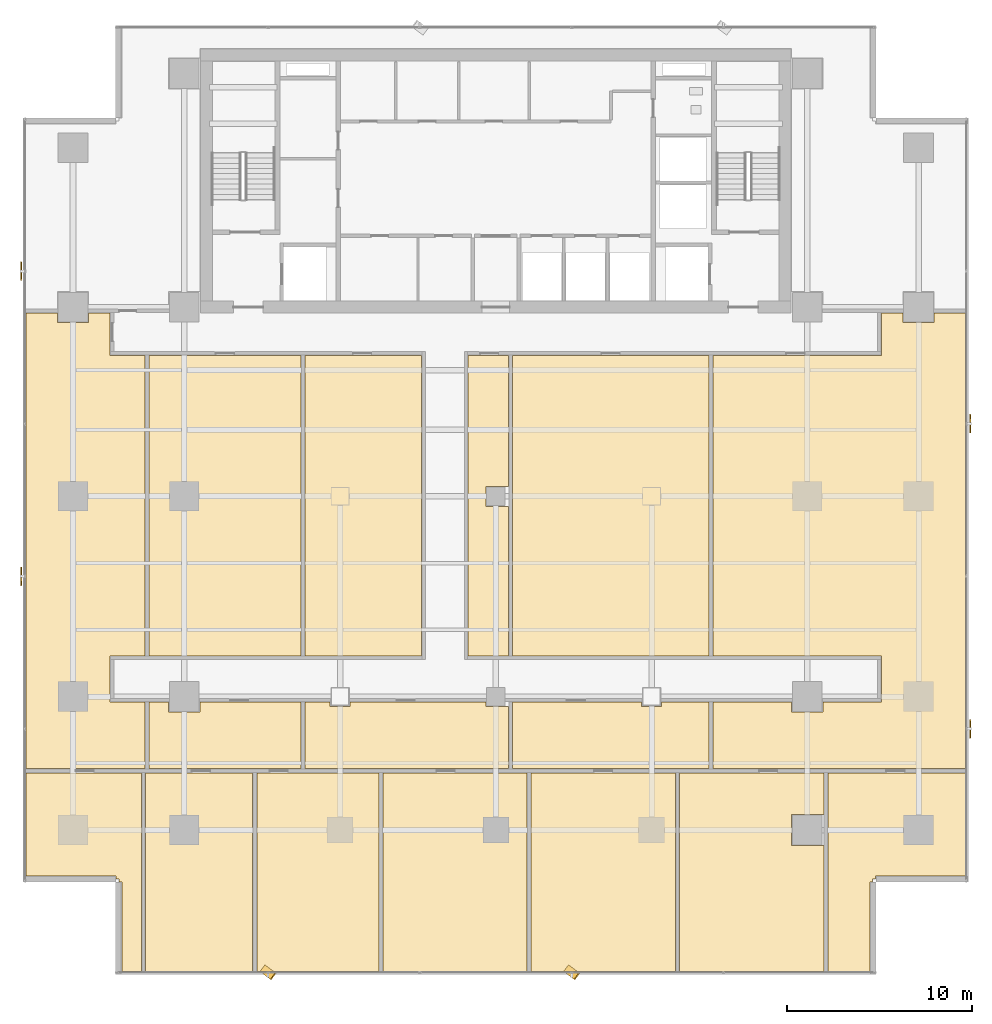
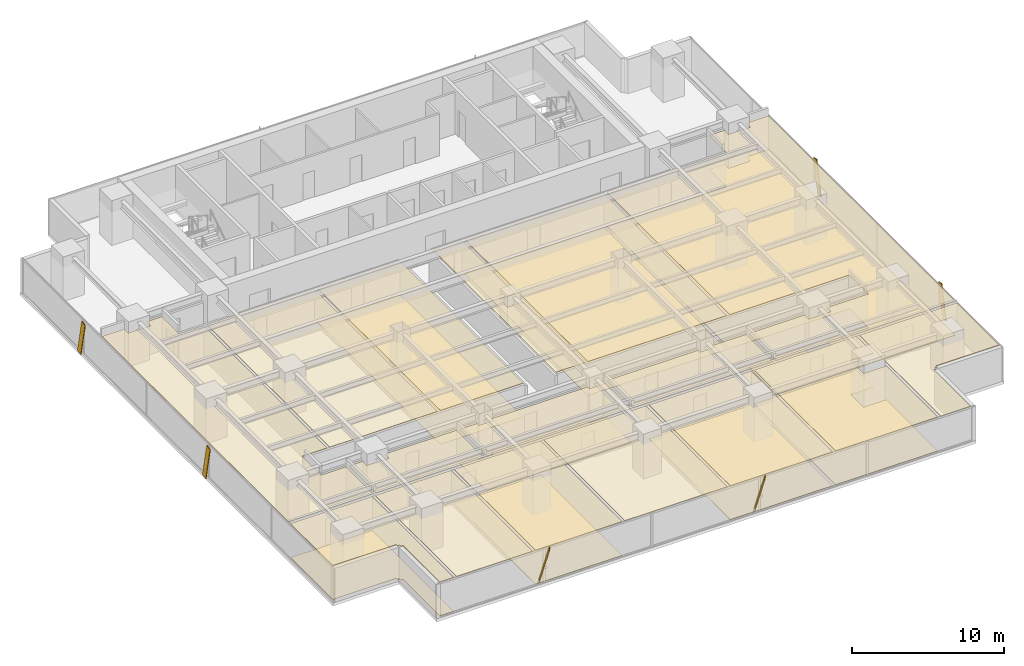
# One storey, part 32 of 36: 24 coverings, 6 shading devices.
"""IFC4 building model written with IfcOpenShell, lengths in metres."""

from ifc_helpers import new_model, si_unit, direction, frame, origin, origin_2d, place, context, subcontext, project, spatial, polyline, rectangle, outline, extrude, source, transform, mapped, material, layer, layer_set, material_profile, profile_set, type_object, element, save


model = new_model("IFC4")

# Units and contexts
model_context = context("Model", 3, precision=1e-05, world=origin(), true_north=direction((0.0, 1.0)))
body_context = subcontext(model_context, "Body", "Model", "MODEL_VIEW")
ifc_project = project(units=[si_unit("LENGTHUNIT", "METRE"), si_unit("AREAUNIT", "SQUARE_METRE"), si_unit("VOLUMEUNIT", "CUBIC_METRE"), si_unit("PLANEANGLEUNIT", "RADIAN"), si_unit("MASSUNIT", "GRAM", prefix="KILO")], contexts=[model_context])

# Site, building, storey
site_placement = place(None, origin())
site = spatial("IfcSite", under=ifc_project, at=site_placement, CompositionType="ELEMENT")
building_placement = place(site_placement, origin())
building = spatial("IfcBuilding", under=site, at=building_placement, Name="Sumidabori Civic Tower", CompositionType="ELEMENT")
storey_placement = place(building_placement, frame((0.0, 0.0, 113.60009765625)))
storey = spatial("IfcBuildingStorey", under=building, at=storey_placement, Name="L29", CompositionType="ELEMENT", Elevation=113.60009765625)

# Coverings
ifc_material_1 = material(Name="Perforated Timber Acoustic Ceiling", Category="wood")
ifc_layer_1 = layer(ifc_material_1, 0.044921875, Name="Perforated Timber Acoustic Ceiling")
ifc_layer_set_1 = layer_set([ifc_layer_1], Name="Perforated Timber Acoustic Ceiling")
covering_type_1 = type_object("IfcCoveringType", Name="CV-CEIL-AC2", PredefinedType="CEILING", material=ifc_layer_set_1)
covering_1_placement = place(storey_placement, frame((0.0, 0.0, 2.7099609375)))
element("IfcCovering", 1, at=covering_1_placement, inside=storey, type_object=covering_type_1, Name="Room Acoustic Ceiling L29-02", PredefinedType="CEILING", context=body_context, shape_type="SweptSolid", body=[
    extrude(outline(polyline([(-18.68994140625, 7.60009765625), (-10.510009765625, 7.60009765625), (-10.510009765625, -8.60009765625), (-18.68994140625, -8.60009765625), (-18.68994140625, 7.60009765625)])), origin(), (0.0, 0.0, 1.0), 0.044921875),
])
covering_2_placement = place(storey_placement, frame((0.0, 0.0, 2.7099609375)))
element("IfcCovering", 2, at=covering_2_placement, inside=storey, type_object=covering_type_1, Name="Room Acoustic Ceiling L29-03", PredefinedType="CEILING", context=body_context, shape_type="SweptSolid", body=[
    extrude(outline(polyline([(-10.2900390625, 7.60009765625), (-4.0, 7.60009765625), (-4.0, -8.60009765625), (-10.2900390625, -8.60009765625), (-10.2900390625, 7.60009765625)])), origin(), (0.0, 0.0, 1.0), 0.044921875),
])
covering_3_placement = place(storey_placement, frame((0.0, 0.0, 2.7099609375)))
element("IfcCovering", 3, at=covering_3_placement, inside=storey, type_object=covering_type_1, Name="Room Acoustic Ceiling L29-04", PredefinedType="CEILING", context=body_context, shape_type="SweptSolid", body=[
    extrude(outline(polyline([(-1.5, -8.60009765625), (-1.5, 7.60009765625), (0.68994140625, 7.60009765625), (0.68994140625, 0.5400390625), (-0.5400390625, 0.5400390625), (-0.5400390625, -0.5400390625), (0.68994140625, -0.5400390625), (0.68994140625, -8.60009765625), (-1.5, -8.60009765625)])), origin(), (0.0, 0.0, 1.0), 0.044921875),
])
covering_4_placement = place(storey_placement, frame((0.0, 0.0, 2.7099609375)))
element("IfcCovering", 4, at=covering_4_placement, inside=storey, type_object=covering_type_1, Name="Room Acoustic Ceiling L29-05", PredefinedType="CEILING", context=body_context, shape_type="SweptSolid", body=[
    extrude(outline(polyline([(0.909912109375, -8.60009765625), (0.909912109375, 7.60009765625), (11.489990234375, 7.60009765625), (11.489990234375, -8.60009765625), (0.909912109375, -8.60009765625)])), origin(), (0.0, 0.0, 1.0), 0.044921875),
])
covering_5_placement = place(storey_placement, frame((0.0, 0.0, 2.7099609375)))
element("IfcCovering", 5, at=covering_5_placement, inside=storey, type_object=covering_type_1, Name="Room Acoustic Ceiling L29-06", PredefinedType="CEILING", context=body_context, shape_type="SweptSolid", body=[
    extrude(outline(polyline([(-25.330078125, -14.68994140625), (-25.330078125, 9.889892578125), (-23.639892578125, 9.889892578125), (-23.639892578125, 9.360107421875), (-21.9599609375, 9.360107421875), (-21.9599609375, 9.889892578125), (-20.800048828125, 9.889892578125), (-20.800048828125, 7.60009765625), (-18.909912109375, 7.60009765625), (-18.909912109375, -8.60009765625), (-20.800048828125, -8.60009765625), (-20.800048828125, -11.10009765625), (-18.909912109375, -11.10009765625), (-18.909912109375, -14.68994140625), (-25.330078125, -14.68994140625)])), origin(), (0.0, 0.0, 1.0), 0.044921875),
])
covering_6_placement = place(storey_placement, frame((0.0, 0.0, 2.7099609375)))
element("IfcCovering", 6, at=covering_6_placement, inside=storey, type_object=covering_type_1, Name="Room Acoustic Ceiling L29-07", PredefinedType="CEILING", context=body_context, shape_type="SweptSolid", body=[
    extrude(outline(polyline([(11.7099609375, -11.10009765625), (15.9599609375, -11.10009765625), (15.9599609375, -11.639892578125), (17.639892578125, -11.639892578125), (17.639892578125, -11.10009765625), (20.800048828125, -11.10009765625), (20.800048828125, -8.60009765625), (11.7099609375, -8.60009765625), (11.7099609375, 7.60009765625), (20.800048828125, 7.60009765625), (20.800048828125, 9.889892578125), (21.9599609375, 9.889892578125), (21.9599609375, 9.360107421875), (23.639892578125, 9.360107421875), (23.639892578125, 9.889892578125), (25.330078125, 9.889892578125), (25.330078125, -14.68994140625), (11.7099609375, -14.68994140625), (11.7099609375, -11.10009765625)])), origin(), (0.0, 0.0, 1.0), 0.044921875),
])
covering_7_placement = place(storey_placement, frame((0.0, 0.0, 2.7099609375)))
element("IfcCovering", 7, at=covering_7_placement, inside=storey, type_object=covering_type_1, Name="Room Acoustic Ceiling L29-08", PredefinedType="CEILING", context=body_context, shape_type="SweptSolid", body=[
    extrude(outline(polyline([(-18.68994140625, -11.10009765625), (-17.639892578125, -11.10009765625), (-17.639892578125, -11.639892578125), (-15.9599609375, -11.639892578125), (-15.9599609375, -11.10009765625), (-10.510009765625, -11.10009765625), (-10.510009765625, -14.68994140625), (-18.68994140625, -14.68994140625), (-18.68994140625, -11.10009765625)])), origin(), (0.0, 0.0, 1.0), 0.044921875),
])
covering_8_placement = place(storey_placement, frame((0.0, 0.0, 2.7099609375)))
element("IfcCovering", 8, at=covering_8_placement, inside=storey, type_object=covering_type_1, Name="Room Acoustic Ceiling L29-09", PredefinedType="CEILING", context=body_context, shape_type="SweptSolid", body=[
    extrude(outline(polyline([(-10.2900390625, -11.10009765625), (-8.93994140625, -11.10009765625), (-8.93994140625, -11.340087890625), (-7.860107421875, -11.340087890625), (-7.860107421875, -11.10009765625), (-0.5400390625, -11.10009765625), (-0.5400390625, -11.340087890625), (0.68994140625, -11.340087890625), (0.68994140625, -14.68994140625), (-10.2900390625, -14.68994140625), (-10.2900390625, -11.10009765625)])), origin(), (0.0, 0.0, 1.0), 0.044921875),
])
covering_9_placement = place(storey_placement, frame((0.0, 0.0, 2.7099609375)))
element("IfcCovering", 9, at=covering_9_placement, inside=storey, type_object=covering_type_1, Name="Room Acoustic Ceiling L29-10", PredefinedType="CEILING", context=body_context, shape_type="SweptSolid", body=[
    extrude(outline(polyline([(0.909912109375, -11.10009765625), (7.860107421875, -11.10009765625), (7.860107421875, -11.340087890625), (8.93994140625, -11.340087890625), (8.93994140625, -11.10009765625), (11.489990234375, -11.10009765625), (11.489990234375, -14.68994140625), (0.909912109375, -14.68994140625), (0.909912109375, -11.10009765625)])), origin(), (0.0, 0.0, 1.0), 0.044921875),
])
covering_10_placement = place(storey_placement, frame((0.0, 0.0, 2.7099609375)))
element("IfcCovering", 10, at=covering_10_placement, inside=storey, type_object=covering_type_1, Name="Room Acoustic Ceiling L29-11", PredefinedType="CEILING", context=body_context, shape_type="SweptSolid", body=[
    extrude(outline(polyline([(-19.110107421875, -14.909912109375), (-19.110107421875, -25.6298828125), (-20.172119140625, -25.6298828125), (-20.172119140625, -20.7919921875), (-20.330078125, -20.7919921875), (-20.330078125, -20.6298828125), (-20.491943359375, -20.6298828125), (-20.491943359375, -20.471923828125), (-25.330078125, -20.471923828125), (-25.330078125, -14.909912109375), (-19.110107421875, -14.909912109375)])), origin(), (0.0, 0.0, 1.0), 0.044921875),
])
covering_11_placement = place(storey_placement, frame((0.0, 0.0, 2.7099609375)))
element("IfcCovering", 11, at=covering_11_placement, inside=storey, type_object=covering_type_1, Name="Room Acoustic Ceiling L29-12", PredefinedType="CEILING", context=body_context, shape_type="SweptSolid", body=[
    extrude(outline(polyline([(17.909912109375, -14.909912109375), (25.330078125, -14.909912109375), (25.330078125, -20.471923828125), (20.491943359375, -20.471923828125), (20.491943359375, -20.6298828125), (20.330078125, -20.6298828125), (20.330078125, -20.7919921875), (20.172119140625, -20.7919921875), (20.172119140625, -25.6298828125), (17.909912109375, -25.6298828125), (17.909912109375, -14.909912109375)])), origin(), (0.0, 0.0, 1.0), 0.044921875),
])
covering_12_placement = place(storey_placement, frame((0.0, 0.0, 2.7099609375)))
element("IfcCovering", 12, at=covering_12_placement, inside=storey, type_object=covering_type_1, Name="Room Acoustic Ceiling L29-13", PredefinedType="CEILING", context=body_context, shape_type="SweptSolid", body=[
    extrude(outline(polyline([(-12.889892578125, -14.909912109375), (-6.31005859375, -14.909912109375), (-6.31005859375, -25.6298828125), (-12.889892578125, -25.6298828125), (-12.889892578125, -14.909912109375)])), origin(), (0.0, 0.0, 1.0), 0.044921875),
])
covering_13_placement = place(storey_placement, frame((0.0, 0.0, 2.7099609375)))
element("IfcCovering", 13, at=covering_13_placement, inside=storey, type_object=covering_type_1, Name="Room Acoustic Ceiling L29-14", PredefinedType="CEILING", context=body_context, shape_type="SweptSolid", body=[
    extrude(outline(polyline([(-6.090087890625, -14.909912109375), (1.68994140625, -14.909912109375), (1.68994140625, -25.6298828125), (-6.090087890625, -25.6298828125), (-6.090087890625, -14.909912109375)])), origin(), (0.0, 0.0, 1.0), 0.044921875),
])
covering_14_placement = place(storey_placement, frame((0.0, 0.0, 2.7099609375)))
element("IfcCovering", 14, at=covering_14_placement, inside=storey, type_object=covering_type_1, Name="Room Acoustic Ceiling L29-15", PredefinedType="CEILING", context=body_context, shape_type="SweptSolid", body=[
    extrude(outline(polyline([(1.909912109375, -14.909912109375), (9.68994140625, -14.909912109375), (9.68994140625, -25.6298828125), (1.909912109375, -25.6298828125), (1.909912109375, -14.909912109375)])), origin(), (0.0, 0.0, 1.0), 0.044921875),
])
covering_15_placement = place(storey_placement, frame((0.0, 0.0, 2.7099609375)))
element("IfcCovering", 15, at=covering_15_placement, inside=storey, type_object=covering_type_1, Name="Room Acoustic Ceiling L29-16", PredefinedType="CEILING", context=body_context, shape_type="SweptSolid", body=[
    extrude(outline(polyline([(-18.889892578125, -14.909912109375), (-13.110107421875, -14.909912109375), (-13.110107421875, -25.6298828125), (-18.889892578125, -25.6298828125), (-18.889892578125, -14.909912109375)])), origin(), (0.0, 0.0, 1.0), 0.044921875),
])
covering_16_placement = place(storey_placement, frame((0.0, 0.0, 2.7099609375)))
element("IfcCovering", 16, at=covering_16_placement, inside=storey, type_object=covering_type_1, Name="Room Acoustic Ceiling L29-17", PredefinedType="CEILING", context=body_context, shape_type="SweptSolid", body=[
    extrude(outline(polyline([(9.909912109375, -14.909912109375), (17.68994140625, -14.909912109375), (17.68994140625, -17.159912109375), (15.9599609375, -17.159912109375), (15.9599609375, -18.840087890625), (17.68994140625, -18.840087890625), (17.68994140625, -25.6298828125), (9.909912109375, -25.6298828125), (9.909912109375, -14.909912109375)])), origin(), (0.0, 0.0, 1.0), 0.044921875),
])
ifc_material_2 = material(Name="Honed Terrazzo Tile Flooring")
ifc_layer_2 = layer(ifc_material_2, 0.030029296875, Name="Honed Terrazzo Tile Flooring")
ifc_layer_set_2 = layer_set([ifc_layer_2], Name="Honed Terrazzo Tile Flooring")
covering_type_2 = type_object("IfcCoveringType", Name="CV-FLR-TER", PredefinedType="FLOORING", material=ifc_layer_set_2)
covering_17_placement = place(storey_placement, origin())
element("IfcCovering", 17, at=covering_17_placement, inside=storey, type_object=covering_type_2, Name="Room Terrazzo Floor L29-03", PredefinedType="FLOORING", context=body_context, shape_type="SweptSolid", body=[
    extrude(outline(polyline([(-10.2900390625, 7.60009765625), (-4.0, 7.60009765625), (-4.0, -8.60009765625), (-10.2900390625, -8.60009765625), (-10.2900390625, 7.60009765625)])), origin(), (0.0, 0.0, 1.0), 0.02978515625),
])
covering_18_placement = place(storey_placement, origin())
element("IfcCovering", 18, at=covering_18_placement, inside=storey, type_object=covering_type_2, Name="Room Terrazzo Floor L29-05", PredefinedType="FLOORING", context=body_context, shape_type="SweptSolid", body=[
    extrude(outline(polyline([(0.909912109375, -8.60009765625), (0.909912109375, 7.60009765625), (11.489990234375, 7.60009765625), (11.489990234375, -8.60009765625), (0.909912109375, -8.60009765625)])), origin(), (0.0, 0.0, 1.0), 0.02978515625),
])
covering_19_placement = place(storey_placement, origin())
element("IfcCovering", 19, at=covering_19_placement, inside=storey, type_object=covering_type_2, Name="Room Terrazzo Floor L29-07", PredefinedType="FLOORING", context=body_context, shape_type="SweptSolid", body=[
    extrude(outline(polyline([(11.7099609375, -11.10009765625), (15.9599609375, -11.10009765625), (15.9599609375, -11.639892578125), (17.639892578125, -11.639892578125), (17.639892578125, -11.10009765625), (20.800048828125, -11.10009765625), (20.800048828125, -8.60009765625), (11.7099609375, -8.60009765625), (11.7099609375, 7.60009765625), (20.800048828125, 7.60009765625), (20.800048828125, 9.889892578125), (21.9599609375, 9.889892578125), (21.9599609375, 9.360107421875), (23.639892578125, 9.360107421875), (23.639892578125, 9.889892578125), (25.330078125, 9.889892578125), (25.330078125, -14.68994140625), (11.7099609375, -14.68994140625), (11.7099609375, -11.10009765625)])), origin(), (0.0, 0.0, 1.0), 0.02978515625),
])
covering_20_placement = place(storey_placement, origin())
element("IfcCovering", 20, at=covering_20_placement, inside=storey, type_object=covering_type_2, Name="Room Terrazzo Floor L29-09", PredefinedType="FLOORING", context=body_context, shape_type="SweptSolid", body=[
    extrude(outline(polyline([(-10.2900390625, -11.10009765625), (-8.93994140625, -11.10009765625), (-8.93994140625, -11.340087890625), (-7.860107421875, -11.340087890625), (-7.860107421875, -11.10009765625), (-0.5400390625, -11.10009765625), (-0.5400390625, -11.340087890625), (0.68994140625, -11.340087890625), (0.68994140625, -14.68994140625), (-10.2900390625, -14.68994140625), (-10.2900390625, -11.10009765625)])), origin(), (0.0, 0.0, 1.0), 0.02978515625),
])
covering_21_placement = place(storey_placement, origin())
element("IfcCovering", 21, at=covering_21_placement, inside=storey, type_object=covering_type_2, Name="Room Terrazzo Floor L29-11", PredefinedType="FLOORING", context=body_context, shape_type="SweptSolid", body=[
    extrude(outline(polyline([(-19.110107421875, -14.909912109375), (-19.110107421875, -25.6298828125), (-20.172119140625, -25.6298828125), (-20.172119140625, -20.7919921875), (-20.330078125, -20.7919921875), (-20.330078125, -20.6298828125), (-20.491943359375, -20.6298828125), (-20.491943359375, -20.471923828125), (-25.330078125, -20.471923828125), (-25.330078125, -14.909912109375), (-19.110107421875, -14.909912109375)])), origin(), (0.0, 0.0, 1.0), 0.02978515625),
])
covering_22_placement = place(storey_placement, origin())
element("IfcCovering", 22, at=covering_22_placement, inside=storey, type_object=covering_type_2, Name="Room Terrazzo Floor L29-13", PredefinedType="FLOORING", context=body_context, shape_type="SweptSolid", body=[
    extrude(outline(polyline([(-12.889892578125, -14.909912109375), (-6.31005859375, -14.909912109375), (-6.31005859375, -25.6298828125), (-12.889892578125, -25.6298828125), (-12.889892578125, -14.909912109375)])), origin(), (0.0, 0.0, 1.0), 0.02978515625),
])
covering_23_placement = place(storey_placement, origin())
element("IfcCovering", 23, at=covering_23_placement, inside=storey, type_object=covering_type_2, Name="Room Terrazzo Floor L29-15", PredefinedType="FLOORING", context=body_context, shape_type="SweptSolid", body=[
    extrude(outline(polyline([(1.909912109375, -14.909912109375), (9.68994140625, -14.909912109375), (9.68994140625, -25.6298828125), (1.909912109375, -25.6298828125), (1.909912109375, -14.909912109375)])), origin(), (0.0, 0.0, 1.0), 0.02978515625),
])
covering_24_placement = place(storey_placement, origin())
element("IfcCovering", 24, at=covering_24_placement, inside=storey, type_object=covering_type_2, Name="Room Terrazzo Floor L29-17", PredefinedType="FLOORING", context=body_context, shape_type="SweptSolid", body=[
    extrude(outline(polyline([(9.909912109375, -14.909912109375), (17.68994140625, -14.909912109375), (17.68994140625, -17.159912109375), (15.9599609375, -17.159912109375), (15.9599609375, -18.840087890625), (17.68994140625, -18.840087890625), (17.68994140625, -25.6298828125), (9.909912109375, -25.6298828125), (9.909912109375, -14.909912109375)])), origin(), (0.0, 0.0, 1.0), 0.02978515625),
])

# Shading devices
ifc_material_3 = material(Name="Anodised Bronze Aluminium AW-6063-T6", Category="aluminium")
ifc_material_profile = material_profile(ifc_material_3, rectangle(XDim=0.06005859375, YDim=0.449951171875, at=origin_2d()), Name="BRONZE FIN 450x60")
ifc_profile_set = profile_set([ifc_material_profile], Name="Anodised Bronze Aluminium AW-6063-T6")
shading_device_type = type_object("IfcShadingDeviceType", Name="SH-FIN-450", PredefinedType="USERDEFINED", material=ifc_profile_set)
shared_shape_1 = source(origin(), body_context, "Body", "SweptSolid", [
    extrude(rectangle(XDim=0.06005859375, YDim=0.449951171875, at=origin_2d()), origin(), (0.0, 0.0, 1.0), 2.769775390625),
])
for number, where, z_axis, x_axis, name in (
    (25, (-12.56201171875, -25.469970703125, 0.02001953125), (0.202198633998, -0.151604904305, 0.967538973582), (0.774112159528, -0.58041539424, -0.252721852241), "Bronze Anodised Diagonal Fin L29-01"),
    (26, (3.81396484375, -25.469970703125, 0.02001953125), (0.202198633998, -0.151604904305, 0.967538973582), (0.774112159528, -0.58041539424, -0.252721852241), "Bronze Anodised Diagonal Fin L29-03"),
):
    element("IfcShadingDevice", number, at=place(storey_placement, frame(where, z_axis=z_axis, x_axis=x_axis)), inside=storey, type_object=shading_device_type, Name=name, ObjectType="FIN", PredefinedType="USERDEFINED", context=body_context, shape_type="MappedRepresentation", body=[
        mapped(shared_shape_1, transform((0.0, 0.0, 0.0), x_axis=(1.0, 0.0, 0.0), y_axis=(0.0, 1.0, 0.0), z_axis=(0.0, 0.0, 1.0), scale=1.0)),
    ])
shared_shape_2 = source(origin(), body_context, "Body", "SweptSolid", [
    extrude(rectangle(XDim=0.06005859375, YDim=0.449951171875, at=origin_2d()), origin(), (0.0, 0.0, 1.0), 2.73779296875),
])
for number, where, z_axis, x_axis, name in (
    (27, (25.590087890625, -12.822021484375, 0.02001953125), (0.0, 0.204563143937, 0.978853370093), (-1.0, 0.0, 0.0), "Bronze Anodised Diagonal Fin L29-01"),
    (28, (25.590087890625, 3.634033203125, 0.02001953125), (0.0, 0.204563143937, 0.978853370093), (-1.0, 0.0, 0.0), "Bronze Anodised Diagonal Fin L29-03"),
    (29, (-25.590087890625, 12.422119140625, 0.02001953125), (0.0, -0.204563143937, 0.978853370093), (-1.0, 0.0, 0.0), "Bronze Anodised Diagonal Fin L29-01"),
    (30, (-25.590087890625, -4.033935546875, 0.02001953125), (0.0, -0.204563143937, 0.978853370093), (-1.0, 0.0, 0.0), "Bronze Anodised Diagonal Fin L29-03"),
):
    element("IfcShadingDevice", number, at=place(storey_placement, frame(where, z_axis=z_axis, x_axis=x_axis)), inside=storey, type_object=shading_device_type, Name=name, ObjectType="FIN", PredefinedType="USERDEFINED", context=body_context, shape_type="MappedRepresentation", body=[
        mapped(shared_shape_2, transform((0.0, 0.0, 0.0), x_axis=(1.0, 0.0, 0.0), y_axis=(0.0, 1.0, 0.0), z_axis=(0.0, 0.0, 1.0), scale=1.0)),
    ])

save(model, "model.ifc")
